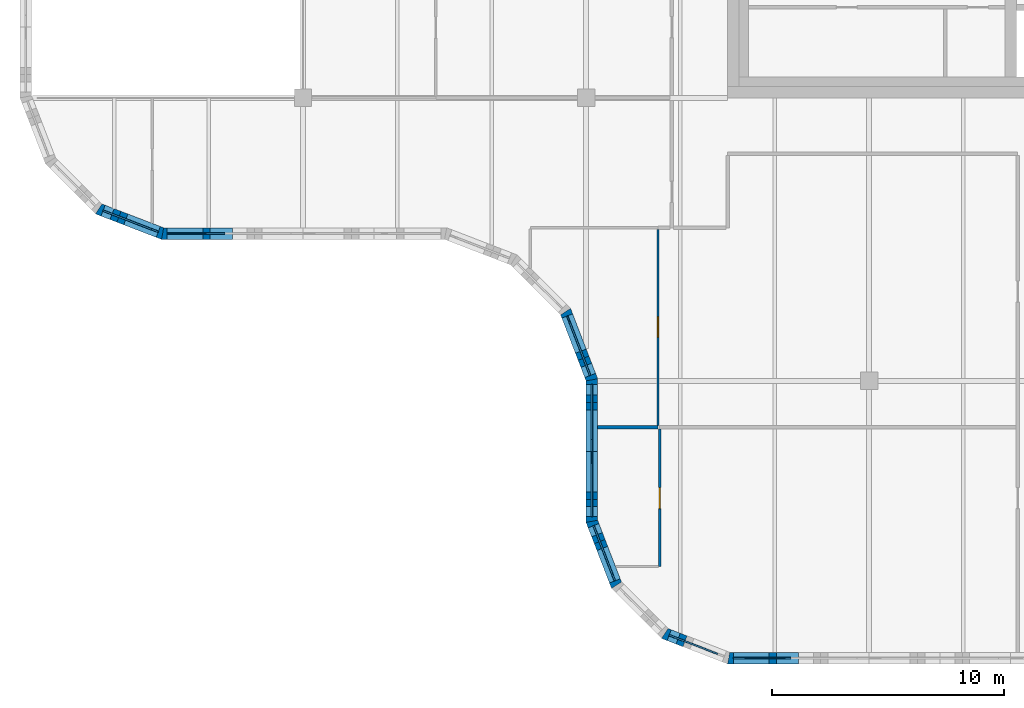
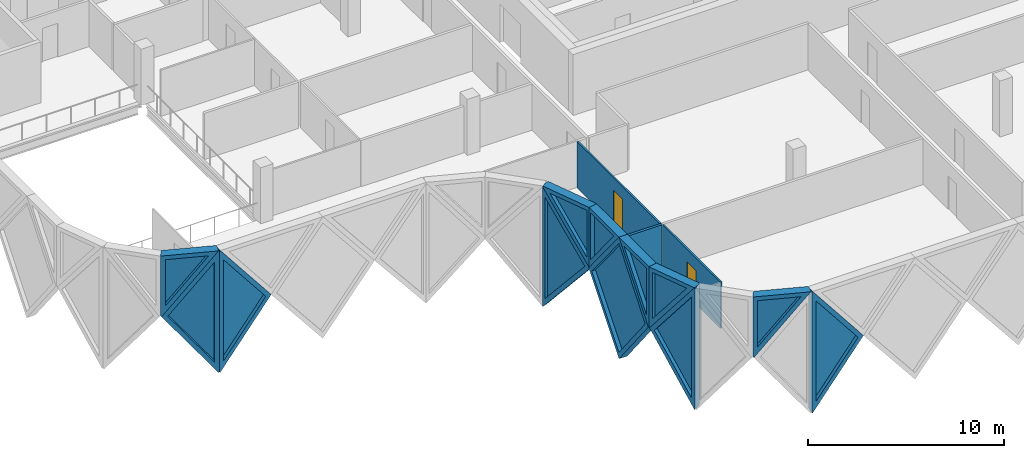
# One storey, part 3 of 15: 15 walls, 12 plates, 2 doors, 14 openings.
"""IFC4 building model written with IfcOpenShell, lengths in metres."""

from ifc_helpers import new_model, si_unit, direction, frame, frame_2d, origin, place, context, subcontext, project, spatial, polyline, rectangle, outline, extrude, faceted_brep, source, transform, mapped, material, layer, layer_set, type_object, element, fill, save


model = new_model("IFC4")

# Units and contexts
model_context = context("Model", 3, precision=1e-05, world=origin(), true_north=direction((0.0, 1.0)))
body_context = subcontext(model_context, "Body", "Model", "MODEL_VIEW")
ifc_project = project(units=[si_unit("LENGTHUNIT", "METRE"), si_unit("AREAUNIT", "SQUARE_METRE"), si_unit("VOLUMEUNIT", "CUBIC_METRE"), si_unit("PLANEANGLEUNIT", "RADIAN"), si_unit("MASSUNIT", "GRAM", prefix="KILO")], contexts=[model_context])

# Site, building, storey
site_placement = place(None, origin())
site = spatial("IfcSite", under=ifc_project, at=site_placement, CompositionType="ELEMENT")
building_placement = place(site_placement, origin())
building = spatial("IfcBuilding", under=site, at=building_placement, Name="Tessera Gate Towers", CompositionType="ELEMENT")
storey_placement = place(building_placement, frame((0.0, 0.0, 228.300048828125)))
storey = spatial("IfcBuildingStorey", under=building, at=storey_placement, Name="L57", CompositionType="ELEMENT", Elevation=228.300048828125)

# Wall, opening, door
ifc_material_1 = material(Name="Glass", Category="glass")
ifc_layer_1 = layer(ifc_material_1, 0.10009765625)
ifc_layer_set_1 = layer_set([ifc_layer_1], Name="GLAZED PARTITION 100")
wall_type_1 = type_object("IfcWallType", Name="GLAZED PARTITION 100", PredefinedType="PARTITIONING", material=ifc_layer_set_1)
wall_1_placement = place(storey_placement, frame((27.574951171875, 4.199951171875, 0.0), z_axis=(0.0, 0.0, 1.0), x_axis=(0.0, 1.0, 0.0)))
wall_1 = element("IfcWall", 1, at=wall_1_placement, inside=storey, type_object=wall_type_1, Name="T1-L57-PW-004", PredefinedType="PARTITIONING", context=body_context, shape_type="SweptSolid", body=[
    extrude(rectangle(XDim=5.924072265625, YDim=0.10009765625, at=frame_2d((2.9619140625, 0.0))), origin(), (0.0, 0.0, 1.0), 2.887939453125),
])
shared_shape_1 = source(origin(), body_context, "Body", "SweptSolid", [
    extrude(rectangle(XDim=0.89990234375, YDim=2.10009765625, at=frame_2d((0.449951171875, 1.050048828125))), frame((0.0, 0.06005859375, 0.0), z_axis=(0.0, -1.0, 0.0), x_axis=(1.0, 0.0, 0.0)), (0.0, 0.0, 1.0), 0.1201171875),
])
opening_1_placement = place(wall_1_placement, frame((2.5, 0.0, 0.0)))
opening_1 = element("IfcOpeningElement", 2, at=opening_1_placement, cuts=wall_1, Name="Opening D690-A20-08", PredefinedType="OPENING", context=body_context, shape_type="MappedRepresentation", body=[
    mapped(shared_shape_1, transform((0.0, 0.0, 0.0), scale=1.0)),
])
ifc_material_2 = material(Name="Glass in aluminium frame", Category="aluminium")
door_type = type_object("IfcDoorType", Name="GLAZED DOOR 900 NOT RATED", OperationType="NOTDEFINED", PredefinedType="DOOR", material=ifc_material_2)
shared_shape_2 = source(origin(), body_context, "Body", "SweptSolid", [
    extrude(rectangle(XDim=0.89990234375, YDim=2.10009765625, at=frame_2d((0.449951171875, 1.050048828125))), frame((0.0, 0.02490234375, 0.0), z_axis=(0.0, -1.0, 0.0), x_axis=(1.0, 0.0, 0.0)), (0.0, 0.0, 1.0), 0.050048828125),
])
door_1_placement = place(opening_1_placement, origin())
door_1 = element("IfcDoor", 3, at=door_1_placement, inside=storey, type_object=door_type, Name="T1-L57-PD-018", OperationType="SINGLE_SWING_LEFT", OverallHeight=2.10009765625, OverallWidth=0.89990234375, PredefinedType="DOOR", context=body_context, shape_type="MappedRepresentation", body=[
    mapped(shared_shape_2, transform((0.0, 0.0, 0.0), scale=1.0)),
])
fill(opening_1, door_1)

wall_2_placement = place(storey_placement, frame((27.5, 10.27587890625, 0.0), z_axis=(0.0, 0.0, 1.0), x_axis=(0.0, 1.0, 0.0)))
wall_2 = element("IfcWall", 4, at=wall_2_placement, inside=storey, type_object=wall_type_1, Name="T1-L57-PW-009", PredefinedType="PARTITIONING", context=body_context, shape_type="SweptSolid", body=[
    extrude(rectangle(XDim=8.4482421875, YDim=0.10009765625, at=frame_2d((4.22412109375, 0.0))), origin(), (0.0, 0.0, 1.0), 2.887939453125),
])
opening_2_placement = place(wall_2_placement, frame((3.800048828125, 0.0, 0.0)))
opening_2 = element("IfcOpeningElement", 5, at=opening_2_placement, cuts=wall_2, Name="Opening D690-A20-09", PredefinedType="OPENING", context=body_context, shape_type="MappedRepresentation", body=[
    mapped(shared_shape_1, transform((0.0, 0.0, 0.0), scale=1.0)),
])
door_2_placement = place(opening_2_placement, origin())
door_2 = element("IfcDoor", 6, at=door_2_placement, inside=storey, type_object=door_type, Name="T1-L57-PD-020", OperationType="SINGLE_SWING_LEFT", OverallHeight=2.10009765625, OverallWidth=0.89990234375, PredefinedType="DOOR", context=body_context, shape_type="MappedRepresentation", body=[
    mapped(shared_shape_2, transform((0.0, 0.0, 0.0), scale=1.0)),
])
fill(opening_2, door_2)

# Wall
ifc_material_3 = material(Name="Gypsum board on steel studs, mineral wool", Category="steel")
ifc_layer_2 = layer(ifc_material_3, 0.14990234375)
ifc_layer_set_2 = layer_set([ifc_layer_2], Name="TENANCY WALL 150")
wall_type_2 = type_object("IfcWallType", Name="TENANCY WALL 150", PredefinedType="PARTITIONING", material=ifc_layer_set_2)
wall_3_placement = place(storey_placement, frame((24.89990234375, 10.199951171875, 0.0), z_axis=(0.0, 0.0, 1.0), x_axis=(1.0, 0.0, 0.0)))
element("IfcWall", 7, at=wall_3_placement, inside=storey, type_object=wall_type_2, Name="T1-L57-PW-007", PredefinedType="PARTITIONING", context=body_context, shape_type="SweptSolid", body=[
    extrude(rectangle(XDim=2.60009765625, YDim=0.14990234375, at=frame_2d((1.300048828125, 0.0))), origin(), (0.0, 0.0, 1.0), 2.887939453125),
])

# Wall, opening, plate
ifc_material_4 = material(Name="Precast concrete C60/75 white", Category="concrete")
ifc_layer_3 = layer(ifc_material_4, 0.5)
ifc_layer_set_3 = layer_set([ifc_layer_3], Name="TS3 corner tessera")
wall_type_3 = type_object("IfcWallType", Name="TS3 corner tessera", PredefinedType="SOLIDWALL", material=ifc_layer_set_3)
shared_shape_3 = source(origin(), body_context, "Body", "Brep", [
    faceted_brep([(2.950439453125, -0.25, 0.0), (3.00341796875, -0.25, 0.068359375), (3.00341796875, -0.25, 7.53173828125), (2.950439453125, -0.25, 7.60009765625), (0.0, -0.25, 3.800048828125), (0.046630859375, 0.25, 3.860107421875), (2.897705078125, 0.25, 7.531982421875), (2.897705078125, 0.25, 0.068115234375), (0.046630859375, 0.25, 3.739990234375), (2.950439453125, 0.00048828125, 0.0), (2.950439453125, 0.00048828125, 7.60009765625), (0.0, 0.0, 3.800048828125)], [[[0, 1, 2, 3, 4]], [[5, 6, 7, 8]], [[1, 0, 9]], [[10, 3, 2]], [[6, 5, 11, 4, 3, 10]], [[8, 7, 9, 0, 4, 11]], [[8, 11, 5]], [[1, 9, 7, 6, 10, 2]]]),
])
wall_4_placement = place(storey_placement, frame((24.64990234375, 6.146484375, -3.800048828125), z_axis=(0.0, 0.0, 1.0), x_axis=(0.359953949349, -0.932970071518, 0.0)))
wall_4 = element("IfcWall", 8, at=wall_4_placement, inside=storey, type_object=wall_type_3, Name="Precast corner tessera T1 TS3-1343", PredefinedType="SOLIDWALL", context=body_context, shape_type="MappedRepresentation", body=[
    mapped(shared_shape_3, transform((0.0, 0.0, 0.0), scale=1.0)),
])
shared_shape_4 = source(origin(), body_context, "Body", "SweptSolid", [
    extrude(outline(polyline([(2.75048828125, 6.934814453125), (0.31640625, 3.800048828125), (2.75048828125, 0.665283203125), (2.75048828125, 6.934814453125)])), frame((0.0, 0.260009765625, 0.0), z_axis=(0.0, -1.0, 0.0), x_axis=(1.0, 0.0, 0.0)), (0.0, 0.0, 1.0), 0.52001953125),
])
opening_3_placement = place(wall_4_placement, origin())
opening_3 = element("IfcOpeningElement", 9, at=opening_3_placement, cuts=wall_4, Name="Opening T1-PL2-2113", PredefinedType="OPENING", context=body_context, shape_type="MappedRepresentation", body=[
    mapped(shared_shape_4, transform((0.0, 0.0, 0.0), scale=1.0)),
])
ifc_material_5 = material(Name="Low-e laminated glass", Category="glass")
ifc_layer_4 = layer(ifc_material_5, 0.06005859375)
ifc_layer_set_4 = layer_set([ifc_layer_4], Name="PL2 rhombic pane")
plate_type_1 = type_object("IfcPlateType", Name="PL2 rhombic pane", PredefinedType="SHEET", material=ifc_layer_set_4)
shared_shape_5 = source(origin(), body_context, "Body", "SweptSolid", [
    extrude(outline(polyline([(2.75048828125, 6.934814453125), (0.31640625, 3.800048828125), (2.75048828125, 0.665283203125), (2.75048828125, 6.934814453125)])), frame((0.0, 0.030029296875, 0.0), z_axis=(0.0, -1.0, 0.0), x_axis=(1.0, 0.0, 0.0)), (0.0, 0.0, 1.0), 0.06005859375),
])
plate_1_placement = place(opening_3_placement, origin())
plate_1 = element("IfcPlate", 10, at=plate_1_placement, inside=storey, type_object=plate_type_1, Name="Glass pane T1 PL2-2113", PredefinedType="SHEET", context=body_context, shape_type="MappedRepresentation", body=[
    mapped(shared_shape_5, transform((0.0, 0.0, 0.0), scale=1.0)),
])
fill(opening_3, plate_1)

shared_shape_6 = source(origin(), body_context, "Body", "Brep", [
    faceted_brep([(2.950439453125, -0.25, 0.0), (2.9970703125, -0.25, 0.05908203125), (2.9970703125, -0.25, 7.541015625), (2.950439453125, -0.25, 7.60009765625), (0.0, -0.25, 3.800048828125), (0.052978515625, 0.25, 3.8681640625), (2.904052734375, 0.25, 7.540283203125), (2.904052734375, 0.25, 0.059814453125), (0.052978515625, 0.25, 3.73193359375), (2.950439453125, 0.00048828125, 0.0), (2.950439453125, 0.00048828125, 7.60009765625), (0.0, 0.0, 3.800048828125)], [[[0, 1, 2, 3, 4]], [[5, 6, 7, 8]], [[1, 0, 9]], [[10, 3, 2]], [[6, 5, 11, 4, 3, 10]], [[8, 7, 9, 0, 4, 11]], [[8, 11, 5]], [[1, 9, 7, 6, 10, 2]]]),
])
wall_5_placement = place(storey_placement, frame((3.393798828125, 19.61181640625, -3.800048828125), z_axis=(0.0, 0.0, 1.0), x_axis=(0.932990326376, -0.359901446078, 0.0)))
wall_5 = element("IfcWall", 11, at=wall_5_placement, inside=storey, type_object=wall_type_3, Name="Precast corner tessera T1 TS3-1337", PredefinedType="SOLIDWALL", context=body_context, shape_type="MappedRepresentation", body=[
    mapped(shared_shape_6, transform((0.0, 0.0, 0.0), scale=1.0)),
])
opening_4_placement = place(wall_5_placement, origin())
opening_4 = element("IfcOpeningElement", 12, at=opening_4_placement, cuts=wall_5, Name="Opening T1-PL2-2105", PredefinedType="OPENING", context=body_context, shape_type="MappedRepresentation", body=[
    mapped(shared_shape_4, transform((0.0, 0.0, 0.0), scale=1.0)),
])
plate_2_placement = place(opening_4_placement, origin())
plate_2 = element("IfcPlate", 13, at=plate_2_placement, inside=storey, type_object=plate_type_1, Name="Glass pane T1 PL2-2105", PredefinedType="SHEET", context=body_context, shape_type="MappedRepresentation", body=[
    mapped(shared_shape_5, transform((0.0, 0.0, 0.0), scale=1.0)),
])
fill(opening_4, plate_2)

shared_shape_7 = source(origin(), body_context, "Body", "Brep", [
    faceted_brep([(0.046630859375, -0.25, 0.0), (3.050048828125, -0.25, 3.800048828125), (0.046630859375, -0.25, 7.60009765625), (0.0, -0.25, 7.5400390625), (0.0, -0.25, 0.06005859375), (0.09326171875, 0.25, 7.541259765625), (3.050048828125, 0.25, 3.800048828125), (0.09326171875, 0.25, 0.058837890625), (0.046630859375, 0.0, 0.0), (0.046630859375, 0.0, 7.60009765625)], [[[0, 1, 2, 3, 4]], [[5, 6, 7]], [[7, 6, 1, 0, 8]], [[6, 5, 9, 2, 1]], [[3, 2, 9]], [[8, 0, 4]], [[7, 8, 4, 3, 9, 5]]]),
])
wall_6_placement = place(storey_placement, frame((30.5, 0.25, -3.800048828125), z_axis=(0.0, 0.0, 1.0), x_axis=(1.0, 0.0, 0.0)))
wall_6 = element("IfcWall", 14, at=wall_6_placement, inside=storey, type_object=wall_type_3, Name="Precast corner tessera T1 TS3-1321", PredefinedType="SOLIDWALL", context=body_context, shape_type="MappedRepresentation", body=[
    mapped(shared_shape_7, transform((0.0, 0.0, 0.0), scale=1.0)),
])
shared_shape_8 = source(origin(), body_context, "Body", "SweptSolid", [
    extrude(outline(polyline([(0.24658203125, 0.65625), (2.7314453125, 3.800048828125), (0.24658203125, 6.94384765625), (0.24658203125, 0.65625)])), frame((0.0, 0.260009765625, 0.0), z_axis=(0.0, -1.0, 0.0), x_axis=(1.0, 0.0, 0.0)), (0.0, 0.0, 1.0), 0.52001953125),
])
opening_5_placement = place(wall_6_placement, origin())
opening_5 = element("IfcOpeningElement", 15, at=opening_5_placement, cuts=wall_6, Name="Opening T1-PL2-2068", PredefinedType="OPENING", context=body_context, shape_type="MappedRepresentation", body=[
    mapped(shared_shape_8, transform((0.0, 0.0, 0.0), scale=1.0)),
])
shared_shape_9 = source(origin(), body_context, "Body", "SweptSolid", [
    extrude(outline(polyline([(0.24658203125, 0.65625), (2.7314453125, 3.800048828125), (0.24658203125, 6.94384765625), (0.24658203125, 0.65625)])), frame((0.0, 0.030029296875, 0.0), z_axis=(0.0, -1.0, 0.0), x_axis=(1.0, 0.0, 0.0)), (0.0, 0.0, 1.0), 0.06005859375),
])
plate_3_placement = place(opening_5_placement, origin())
plate_3 = element("IfcPlate", 16, at=plate_3_placement, inside=storey, type_object=plate_type_1, Name="Glass pane T1 PL2-2068", PredefinedType="SHEET", context=body_context, shape_type="MappedRepresentation", body=[
    mapped(shared_shape_9, transform((0.0, 0.0, 0.0), scale=1.0)),
])
fill(opening_5, plate_3)

wall_7_placement = place(storey_placement, frame((6.099853515625, 18.550048828125, -3.800048828125), z_axis=(0.0, 0.0, 1.0), x_axis=(1.0, 0.0, 0.0)))
wall_7 = element("IfcWall", 17, at=wall_7_placement, inside=storey, type_object=wall_type_3, Name="Precast corner tessera T1 TS3-1338", PredefinedType="SOLIDWALL", context=body_context, shape_type="MappedRepresentation", body=[
    mapped(shared_shape_7, transform((0.0, 0.0, 0.0), scale=1.0)),
])
opening_6_placement = place(wall_7_placement, origin())
opening_6 = element("IfcOpeningElement", 18, at=opening_6_placement, cuts=wall_7, Name="Opening T1-PL2-2106", PredefinedType="OPENING", context=body_context, shape_type="MappedRepresentation", body=[
    mapped(shared_shape_8, transform((0.0, 0.0, 0.0), scale=1.0)),
])
plate_4_placement = place(opening_6_placement, origin())
plate_4 = element("IfcPlate", 19, at=plate_4_placement, inside=storey, type_object=plate_type_1, Name="Glass pane T1 PL2-2106", PredefinedType="SHEET", context=body_context, shape_type="MappedRepresentation", body=[
    mapped(shared_shape_9, transform((0.0, 0.0, 0.0), scale=1.0)),
])
fill(opening_6, plate_4)

shared_shape_10 = source(origin(), body_context, "Body", "Brep", [
    faceted_brep([(0.10595703125, -0.25, 0.06396484375), (3.156005859375, -0.25, 3.743896484375), (3.156005859375, -0.25, 3.856201171875), (0.10595703125, -0.25, 7.5361328125), (0.0, 0.25, 7.536376953125), (0.052978515625, 0.25, 7.60009765625), (3.202392578125, 0.25, 3.800048828125), (0.052978515625, 0.25, 0.0), (0.0, 0.25, 0.063720703125), (3.202392578125, -0.000244140625, 3.800048828125), (0.052978515625, 0.0, 0.0), (0.052978515625, 0.0, 7.60009765625)], [[[0, 1, 2, 3]], [[4, 5, 6, 7, 8]], [[7, 6, 9, 1, 0, 10]], [[6, 5, 11, 3, 2, 9]], [[5, 4, 11]], [[8, 7, 10]], [[8, 10, 0, 3, 11, 4]], [[1, 9, 2]]]),
])
wall_8_placement = place(storey_placement, frame((23.497314453125, 15.234375, -3.800048828125), z_axis=(0.0, 0.0, 1.0), x_axis=(0.359913782069, -0.932985567668, 0.0)))
wall_8 = element("IfcWall", 20, at=wall_8_placement, inside=storey, type_object=wall_type_3, Name="Precast corner tessera T1 TS3-1342", PredefinedType="SOLIDWALL", context=body_context, shape_type="MappedRepresentation", body=[
    mapped(shared_shape_10, transform((0.0, 0.0, 0.0), scale=1.0)),
])
shared_shape_11 = source(origin(), body_context, "Body", "SweptSolid", [
    extrude(outline(polyline([(0.2529296875, 0.633056640625), (2.877685546875, 3.800048828125), (0.2529296875, 6.966796875), (0.2529296875, 0.633056640625)])), frame((0.0, 0.260009765625, 0.0), z_axis=(0.0, -1.0, 0.0), x_axis=(1.0, 0.0, 0.0)), (0.0, 0.0, 1.0), 0.52001953125),
])
opening_7_placement = place(wall_8_placement, origin())
opening_7 = element("IfcOpeningElement", 21, at=opening_7_placement, cuts=wall_8, Name="Opening T1-PL2-2111", PredefinedType="OPENING", context=body_context, shape_type="MappedRepresentation", body=[
    mapped(shared_shape_11, transform((0.0, 0.0, 0.0), scale=1.0)),
])
shared_shape_12 = source(origin(), body_context, "Body", "SweptSolid", [
    extrude(outline(polyline([(0.2529296875, 0.633056640625), (2.877685546875, 3.800048828125), (0.2529296875, 6.966796875), (0.2529296875, 0.633056640625)])), frame((0.0, 0.030029296875, 0.0), z_axis=(0.0, -1.0, 0.0), x_axis=(1.0, 0.0, 0.0)), (0.0, 0.0, 1.0), 0.06005859375),
])
plate_5_placement = place(opening_7_placement, origin())
plate_5 = element("IfcPlate", 22, at=plate_5_placement, inside=storey, type_object=plate_type_1, Name="Glass pane T1 PL2-2111", PredefinedType="SHEET", context=body_context, shape_type="MappedRepresentation", body=[
    mapped(shared_shape_12, transform((0.0, 0.0, 0.0), scale=1.0)),
])
fill(opening_7, plate_5)

ifc_material_6 = material(Name="Precast concrete C60/75 white", Category="concrete")
ifc_layer_5 = layer(ifc_material_6, 0.5)
ifc_layer_set_5 = layer_set([ifc_layer_5], Name="TS1 tessera")
wall_type_4 = type_object("IfcWallType", Name="TS1 tessera", PredefinedType="SOLIDWALL", material=ifc_layer_set_5)
shared_shape_13 = source(origin(), body_context, "Body", "Brep", [
    faceted_brep([(3.096435546875, -0.25, 0.0), (6.10009765625, -0.25, 3.800048828125), (3.096435546875, -0.25, 7.60009765625), (0.046630859375, -0.25, 3.857177734375), (0.046630859375, -0.25, 3.742919921875), (0.0, 0.25, 3.800048828125), (3.096435546875, 0.25, 7.60009765625), (6.053466796875, 0.25, 3.859130859375), (6.053466796875, 0.25, 3.740966796875), (3.096435546875, 0.25, 0.0), (6.10009765625, -0.00048828125, 3.800048828125), (0.0, 0.0, 3.800048828125)], [[[0, 1, 2, 3, 4]], [[5, 6, 7, 8, 9]], [[9, 8, 10, 1, 0]], [[7, 6, 2, 1, 10]], [[6, 5, 11, 3, 2]], [[5, 9, 0, 4, 11]], [[11, 4, 3]], [[10, 8, 7]]]),
])
wall_9_placement = place(storey_placement, frame((24.64990234375, 12.24658203125, -3.800048828125), z_axis=(0.0, 0.0, 1.0), x_axis=(0.0, -1.0, 0.0)))
wall_9 = element("IfcWall", 23, at=wall_9_placement, inside=storey, type_object=wall_type_4, Name="Precast tessera T1 TS1-1034", PredefinedType="SOLIDWALL", context=body_context, shape_type="MappedRepresentation", body=[
    mapped(shared_shape_13, transform((0.0, 0.0, 0.0), scale=1.0)),
])
shared_shape_14 = source(origin(), body_context, "Body", "SweptSolid", [
    extrude(outline(polyline([(3.093505859375, 0.3994140625), (5.78125, 3.800048828125), (3.093505859375, 7.20068359375), (0.322509765625, 3.800048828125), (3.093505859375, 0.3994140625)])), frame((0.0, 0.260009765625, 0.0), z_axis=(0.0, -1.0, 0.0), x_axis=(1.0, 0.0, 0.0)), (0.0, 0.0, 1.0), 0.52001953125),
])
opening_8_placement = place(wall_9_placement, origin())
opening_8 = element("IfcOpeningElement", 24, at=opening_8_placement, cuts=wall_9, Name="Opening T1-PL2-2112", PredefinedType="OPENING", context=body_context, shape_type="MappedRepresentation", body=[
    mapped(shared_shape_14, transform((0.0, 0.0, 0.0), scale=1.0)),
])
shared_shape_15 = source(origin(), body_context, "Body", "SweptSolid", [
    extrude(outline(polyline([(3.093505859375, 0.3994140625), (5.78125, 3.800048828125), (3.093505859375, 7.20068359375), (0.322509765625, 3.800048828125), (3.093505859375, 0.3994140625)])), frame((0.0, 0.030029296875, 0.0), z_axis=(0.0, -1.0, 0.0), x_axis=(1.0, 0.0, 0.0)), (0.0, 0.0, 1.0), 0.06005859375),
])
plate_6_placement = place(opening_8_placement, origin())
plate_6 = element("IfcPlate", 25, at=plate_6_placement, inside=storey, type_object=plate_type_1, Name="Glass pane T1 PL2-2112", PredefinedType="SHEET", context=body_context, shape_type="MappedRepresentation", body=[
    mapped(shared_shape_15, transform((0.0, 0.0, 0.0), scale=1.0)),
])
fill(opening_8, plate_6)

shared_shape_16 = source(origin(), body_context, "Body", "Brep", [
    faceted_brep([(3.00341796875, -0.25, 0.0), (3.050048828125, -0.25, 0.06005859375), (3.050048828125, -0.25, 3.800048828125), (0.0, -0.25, 3.800048828125), (0.0, 0.25, 3.800048828125), (2.956787109375, 0.25, 3.800048828125), (2.956787109375, 0.25, 0.058837890625), (3.00341796875, 0.000244140625, 0.0)], [[[0, 1, 2, 3]], [[4, 5, 6]], [[1, 0, 7]], [[5, 4, 3, 2]], [[4, 6, 7, 0, 3]], [[1, 7, 6, 5, 2]]]),
])
wall_10_placement = place(storey_placement, frame((24.64990234375, 9.14990234375, 0.0), z_axis=(0.0, 0.0, 1.0), x_axis=(0.0, -1.0, 0.0)))
wall_10 = element("IfcWall", 26, at=wall_10_placement, inside=storey, type_object=wall_type_3, Name="Precast corner tessera T1 TS3-1365", PredefinedType="SOLIDWALL", context=body_context, shape_type="MappedRepresentation", body=[
    mapped(shared_shape_16, transform((0.0, 0.0, 0.0), scale=1.0)),
])
shared_shape_17 = source(origin(), body_context, "Body", "SweptSolid", [
    extrude(outline(polyline([(2.803466796875, 3.550048828125), (0.516357421875, 3.550048828125), (2.803466796875, 0.65625), (2.803466796875, 3.550048828125)])), frame((0.0, 0.260009765625, 0.0), z_axis=(0.0, -1.0, 0.0), x_axis=(1.0, 0.0, 0.0)), (0.0, 0.0, 1.0), 0.52001953125),
])
opening_9_placement = place(wall_10_placement, origin())
opening_9 = element("IfcOpeningElement", 27, at=opening_9_placement, cuts=wall_10, Name="Opening T1-PL1-0560", PredefinedType="OPENING", context=body_context, shape_type="MappedRepresentation", body=[
    mapped(shared_shape_17, transform((0.0, 0.0, 0.0), scale=1.0)),
])
ifc_material_7 = material(Name="Low-e laminated glass", Category="glass")
ifc_layer_6 = layer(ifc_material_7, 0.06005859375)
ifc_layer_set_6 = layer_set([ifc_layer_6], Name="PL1 triangular pane")
plate_type_2 = type_object("IfcPlateType", Name="PL1 triangular pane", PredefinedType="SHEET", material=ifc_layer_set_6)
shared_shape_18 = source(origin(), body_context, "Body", "SweptSolid", [
    extrude(outline(polyline([(2.803466796875, 3.550048828125), (0.516357421875, 3.550048828125), (2.803466796875, 0.65625), (2.803466796875, 3.550048828125)])), frame((0.0, 0.030029296875, 0.0), z_axis=(0.0, -1.0, 0.0), x_axis=(1.0, 0.0, 0.0)), (0.0, 0.0, 1.0), 0.06005859375),
])
plate_7_placement = place(opening_9_placement, origin())
plate_7 = element("IfcPlate", 28, at=plate_7_placement, inside=storey, type_object=plate_type_2, Name="Glass pane T1 PL1-0560", PredefinedType="SHEET", context=body_context, shape_type="MappedRepresentation", body=[
    mapped(shared_shape_18, transform((0.0, 0.0, 0.0), scale=1.0)),
])
fill(opening_9, plate_7)

shared_shape_19 = source(origin(), body_context, "Body", "Brep", [
    faceted_brep([(0.046630859375, -0.25, 0.0), (2.9970703125, -0.25, 3.800048828125), (0.0, -0.25, 3.800048828125), (0.0, -0.25, 0.058837890625), (0.09326171875, 0.25, 3.800048828125), (2.9443359375, 0.25, 3.800048828125), (2.9443359375, 0.25, 3.73193359375), (0.09326171875, 0.25, 0.06005859375), (2.9970703125, 0.00048828125, 3.800048828125), (0.046630859375, 0.0, 0.0)], [[[0, 1, 2, 3]], [[4, 5, 6, 7]], [[7, 6, 8, 1, 0, 9]], [[5, 4, 2, 1, 8]], [[9, 0, 3]], [[7, 9, 3, 2, 4]], [[6, 5, 8]]]),
])
wall_11_placement = place(storey_placement, frame((24.63330078125, 6.18994140625, 0.0), z_axis=(0.0, 0.0, 1.0), x_axis=(0.359901446078, -0.932990326376, 0.0)))
wall_11 = element("IfcWall", 29, at=wall_11_placement, inside=storey, type_object=wall_type_3, Name="Precast corner tessera T1 TS3-1366", PredefinedType="SOLIDWALL", context=body_context, shape_type="MappedRepresentation", body=[
    mapped(shared_shape_19, transform((0.0, 0.0, 0.0), scale=1.0)),
])
shared_shape_20 = source(origin(), body_context, "Body", "SweptSolid", [
    extrude(outline(polyline([(0.24658203125, 0.665283203125), (2.486572265625, 3.550048828125), (0.24658203125, 3.550048828125), (0.24658203125, 0.665283203125)])), frame((0.0, 0.260009765625, 0.0), z_axis=(0.0, -1.0, 0.0), x_axis=(1.0, 0.0, 0.0)), (0.0, 0.0, 1.0), 0.52001953125),
])
opening_10_placement = place(wall_11_placement, origin())
opening_10 = element("IfcOpeningElement", 30, at=opening_10_placement, cuts=wall_11, Name="Opening T1-PL1-0561", PredefinedType="OPENING", context=body_context, shape_type="MappedRepresentation", body=[
    mapped(shared_shape_20, transform((0.0, 0.0, 0.0), scale=1.0)),
])
shared_shape_21 = source(origin(), body_context, "Body", "SweptSolid", [
    extrude(outline(polyline([(0.24658203125, 0.665283203125), (2.486572265625, 3.550048828125), (0.24658203125, 3.550048828125), (0.24658203125, 0.665283203125)])), frame((0.0, 0.030029296875, 0.0), z_axis=(0.0, -1.0, 0.0), x_axis=(1.0, 0.0, 0.0)), (0.0, 0.0, 1.0), 0.06005859375),
])
plate_8_placement = place(opening_10_placement, origin())
plate_8 = element("IfcPlate", 31, at=plate_8_placement, inside=storey, type_object=plate_type_2, Name="Glass pane T1 PL1-0561", PredefinedType="SHEET", context=body_context, shape_type="MappedRepresentation", body=[
    mapped(shared_shape_21, transform((0.0, 0.0, 0.0), scale=1.0)),
])
fill(opening_10, plate_8)

shared_shape_22 = source(origin(), body_context, "Body", "Brep", [
    faceted_brep([(0.052978515625, -0.25, 0.0), (3.00341796875, -0.25, 3.800048828125), (0.0, -0.25, 3.800048828125), (0.0, -0.25, 0.068359375), (0.10595703125, 0.25, 3.800048828125), (2.95703125, 0.25, 3.800048828125), (2.95703125, 0.25, 3.740234375), (0.10595703125, 0.25, 0.068115234375), (3.00341796875, 0.00048828125, 3.800048828125), (0.052978515625, 0.0, 0.0)], [[[0, 1, 2, 3]], [[4, 5, 6, 7]], [[7, 6, 8, 1, 0, 9]], [[5, 4, 2, 1, 8]], [[9, 0, 3]], [[7, 9, 3, 2, 4]], [[6, 5, 8]]]),
])
wall_12_placement = place(storey_placement, frame((3.34423828125, 19.630859375, 0.0), z_axis=(0.0, 0.0, 1.0), x_axis=(0.933007896601, -0.359855894603, 0.0)))
wall_12 = element("IfcWall", 32, at=wall_12_placement, inside=storey, type_object=wall_type_3, Name="Precast corner tessera T1 TS3-1360", PredefinedType="SOLIDWALL", context=body_context, shape_type="MappedRepresentation", body=[
    mapped(shared_shape_22, transform((0.0, 0.0, 0.0), scale=1.0)),
])
shared_shape_23 = source(origin(), body_context, "Body", "SweptSolid", [
    extrude(outline(polyline([(0.2529296875, 0.665283203125), (2.492919921875, 3.550048828125), (0.2529296875, 3.550048828125), (0.2529296875, 0.665283203125)])), frame((0.0, 0.260009765625, 0.0), z_axis=(0.0, -1.0, 0.0), x_axis=(1.0, 0.0, 0.0)), (0.0, 0.0, 1.0), 0.52001953125),
])
opening_11_placement = place(wall_12_placement, origin())
opening_11 = element("IfcOpeningElement", 33, at=opening_11_placement, cuts=wall_12, Name="Opening T1-PL1-0553", PredefinedType="OPENING", context=body_context, shape_type="MappedRepresentation", body=[
    mapped(shared_shape_23, transform((0.0, 0.0, 0.0), scale=1.0)),
])
shared_shape_24 = source(origin(), body_context, "Body", "SweptSolid", [
    extrude(outline(polyline([(0.2529296875, 0.665283203125), (2.492919921875, 3.550048828125), (0.2529296875, 3.550048828125), (0.2529296875, 0.665283203125)])), frame((0.0, 0.030029296875, 0.0), z_axis=(0.0, -1.0, 0.0), x_axis=(1.0, 0.0, 0.0)), (0.0, 0.0, 1.0), 0.06005859375),
])
plate_9_placement = place(opening_11_placement, origin())
plate_9 = element("IfcPlate", 34, at=plate_9_placement, inside=storey, type_object=plate_type_2, Name="Glass pane T1 PL1-0553", PredefinedType="SHEET", context=body_context, shape_type="MappedRepresentation", body=[
    mapped(shared_shape_24, transform((0.0, 0.0, 0.0), scale=1.0)),
])
fill(opening_11, plate_9)

wall_13_placement = place(storey_placement, frame((27.744384765625, 1.3310546875, 0.0), z_axis=(0.0, 0.0, 1.0), x_axis=(0.932970071518, -0.359953949349, 0.0)))
wall_13 = element("IfcWall", 35, at=wall_13_placement, inside=storey, type_object=wall_type_3, Name="Precast corner tessera T1 TS3-1368", PredefinedType="SOLIDWALL", context=body_context, shape_type="MappedRepresentation", body=[
    mapped(shared_shape_22, transform((0.0, 0.0, 0.0), scale=1.0)),
])
opening_12_placement = place(wall_13_placement, origin())
opening_12 = element("IfcOpeningElement", 36, at=opening_12_placement, cuts=wall_13, Name="Opening T1-PL1-0563", PredefinedType="OPENING", context=body_context, shape_type="MappedRepresentation", body=[
    mapped(shared_shape_23, transform((0.0, 0.0, 0.0), scale=1.0)),
])
plate_10_placement = place(opening_12_placement, origin())
plate_10 = element("IfcPlate", 37, at=plate_10_placement, inside=storey, type_object=plate_type_2, Name="Glass pane T1 PL1-0563", PredefinedType="SHEET", context=body_context, shape_type="MappedRepresentation", body=[
    mapped(shared_shape_24, transform((0.0, 0.0, 0.0), scale=1.0)),
])
fill(opening_12, plate_10)

shared_shape_25 = source(origin(), body_context, "Body", "Brep", [
    faceted_brep([(3.10302734375, -0.25, 3.800048828125), (0.052978515625, -0.25, 3.800048828125), (0.052978515625, -0.25, 3.736083984375), (3.10302734375, -0.25, 0.05615234375), (0.0, 0.25, 3.800048828125), (3.196044921875, 0.25, 3.800048828125), (3.196044921875, 0.25, 0.05712890625), (3.1494140625, 0.25, 0.0), (3.1494140625, -0.000244140625, 0.0), (0.0, 0.0, 3.800048828125)], [[[0, 1, 2, 3]], [[4, 5, 6, 7]], [[7, 6, 8]], [[5, 4, 9, 1, 0]], [[4, 7, 8, 3, 2, 9]], [[2, 1, 9]], [[3, 8, 6, 5, 0]]]),
])
wall_14_placement = place(storey_placement, frame((23.5166015625, 15.18505859375, 0.0), z_axis=(0.0, 0.0, 1.0), x_axis=(0.359864468756, -0.933004589553, 0.0)))
wall_14 = element("IfcWall", 38, at=wall_14_placement, inside=storey, type_object=wall_type_3, Name="Precast corner tessera T1 TS3-1363", PredefinedType="SOLIDWALL", context=body_context, shape_type="MappedRepresentation", body=[
    mapped(shared_shape_25, transform((0.0, 0.0, 0.0), scale=1.0)),
])
shared_shape_26 = source(origin(), body_context, "Body", "SweptSolid", [
    extrude(outline(polyline([(2.949462890625, 3.550048828125), (0.531982421875, 3.550048828125), (2.949462890625, 0.633056640625), (2.949462890625, 3.550048828125)])), frame((0.0, 0.260009765625, 0.0), z_axis=(0.0, -1.0, 0.0), x_axis=(1.0, 0.0, 0.0)), (0.0, 0.0, 1.0), 0.52001953125),
])
opening_13_placement = place(wall_14_placement, origin())
opening_13 = element("IfcOpeningElement", 39, at=opening_13_placement, cuts=wall_14, Name="Opening T1-PL1-0558", PredefinedType="OPENING", context=body_context, shape_type="MappedRepresentation", body=[
    mapped(shared_shape_26, transform((0.0, 0.0, 0.0), scale=1.0)),
])
shared_shape_27 = source(origin(), body_context, "Body", "SweptSolid", [
    extrude(outline(polyline([(2.949462890625, 3.550048828125), (0.531982421875, 3.550048828125), (2.949462890625, 0.633056640625), (2.949462890625, 3.550048828125)])), frame((0.0, 0.030029296875, 0.0), z_axis=(0.0, -1.0, 0.0), x_axis=(1.0, 0.0, 0.0)), (0.0, 0.0, 1.0), 0.06005859375),
])
plate_11_placement = place(opening_13_placement, origin())
plate_11 = element("IfcPlate", 40, at=plate_11_placement, inside=storey, type_object=plate_type_2, Name="Glass pane T1 PL1-0558", PredefinedType="SHEET", context=body_context, shape_type="MappedRepresentation", body=[
    mapped(shared_shape_27, transform((0.0, 0.0, 0.0), scale=1.0)),
])
fill(opening_13, plate_11)

shared_shape_28 = source(origin(), body_context, "Body", "Brep", [
    faceted_brep([(0.09326171875, -0.25, 0.05712890625), (3.14306640625, -0.25, 3.800048828125), (0.09326171875, -0.25, 3.800048828125), (0.0, 0.25, 3.800048828125), (3.14306640625, 0.25, 3.800048828125), (0.046630859375, 0.25, 0.0), (0.0, 0.25, 0.05615234375), (0.046630859375, 0.0, 0.0)], [[[0, 1, 2]], [[3, 4, 5, 6]], [[5, 4, 1, 0, 7]], [[4, 3, 2, 1]], [[6, 5, 7]], [[6, 7, 0, 2, 3]]]),
])
wall_15_placement = place(storey_placement, frame((24.64990234375, 12.293212890625, 0.0), z_axis=(0.0, 0.0, 1.0), x_axis=(0.0, -1.0, 0.0)))
wall_15 = element("IfcWall", 41, at=wall_15_placement, inside=storey, type_object=wall_type_3, Name="Precast corner tessera T1 TS3-1364", PredefinedType="SOLIDWALL", context=body_context, shape_type="MappedRepresentation", body=[
    mapped(shared_shape_28, transform((0.0, 0.0, 0.0), scale=1.0)),
])
shared_shape_29 = source(origin(), body_context, "Body", "SweptSolid", [
    extrude(outline(polyline([(0.24658203125, 0.64111328125), (2.616943359375, 3.550048828125), (0.24658203125, 3.550048828125), (0.24658203125, 0.64111328125)])), frame((0.0, 0.260009765625, 0.0), z_axis=(0.0, -1.0, 0.0), x_axis=(1.0, 0.0, 0.0)), (0.0, 0.0, 1.0), 0.52001953125),
])
opening_14_placement = place(wall_15_placement, origin())
opening_14 = element("IfcOpeningElement", 42, at=opening_14_placement, cuts=wall_15, Name="Opening T1-PL1-0559", PredefinedType="OPENING", context=body_context, shape_type="MappedRepresentation", body=[
    mapped(shared_shape_29, transform((0.0, 0.0, 0.0), scale=1.0)),
])
shared_shape_30 = source(origin(), body_context, "Body", "SweptSolid", [
    extrude(outline(polyline([(0.24658203125, 0.64111328125), (2.616943359375, 3.550048828125), (0.24658203125, 3.550048828125), (0.24658203125, 0.64111328125)])), frame((0.0, 0.030029296875, 0.0), z_axis=(0.0, -1.0, 0.0), x_axis=(1.0, 0.0, 0.0)), (0.0, 0.0, 1.0), 0.06005859375),
])
plate_12_placement = place(opening_14_placement, origin())
plate_12 = element("IfcPlate", 43, at=plate_12_placement, inside=storey, type_object=plate_type_2, Name="Glass pane T1 PL1-0559", PredefinedType="SHEET", context=body_context, shape_type="MappedRepresentation", body=[
    mapped(shared_shape_30, transform((0.0, 0.0, 0.0), scale=1.0)),
])
fill(opening_14, plate_12)

save(model, "model.ifc")
